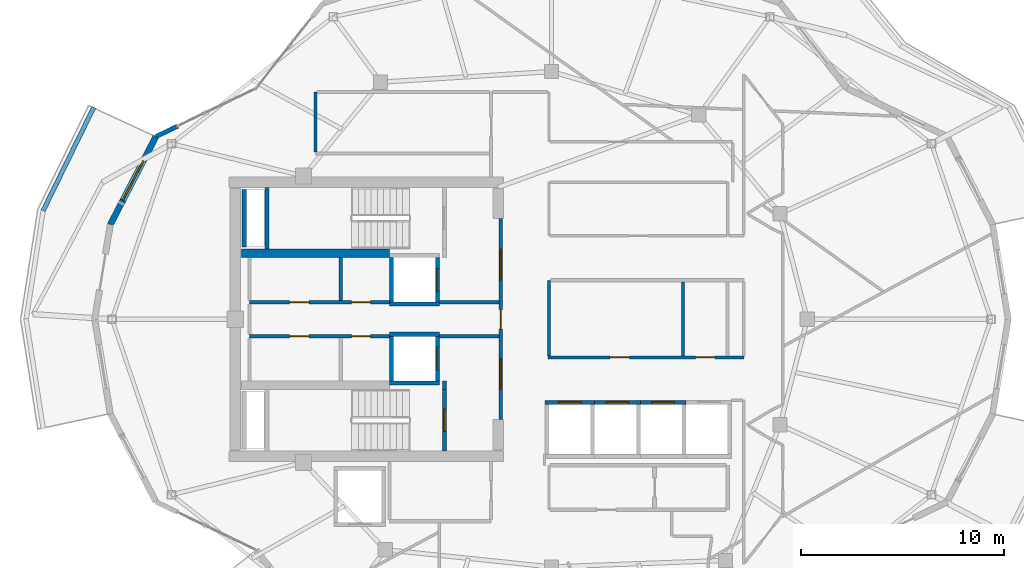
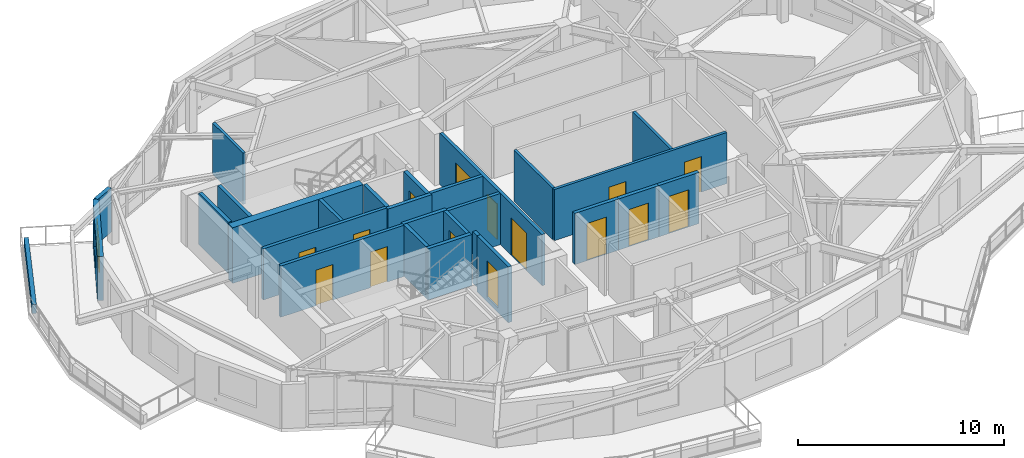
# One storey, part 8 of 14: 28 walls, 15 doors, 1 window, 16 openings.
"""IFC4 building model written with IfcOpenShell, lengths in metres."""

from ifc_helpers import new_model, si_unit, direction, frame, frame_2d, origin, place, context, subcontext, project, spatial, rectangle, extrude, material, layer, layer_set, type_object, element, fill, save


model = new_model("IFC4")

# Units and contexts
model_context = context("Model", 3, precision=1e-05, world=origin(), true_north=direction((0.0, 1.0)))
body_context = subcontext(model_context, "Body", "Model", "MODEL_VIEW")
ifc_project = project(units=[si_unit("LENGTHUNIT", "METRE"), si_unit("AREAUNIT", "SQUARE_METRE"), si_unit("VOLUMEUNIT", "CUBIC_METRE"), si_unit("PLANEANGLEUNIT", "RADIAN"), si_unit("MASSUNIT", "GRAM", prefix="KILO")], contexts=[model_context])

# Site, building, storey
site_placement = place(None, origin())
site = spatial("IfcSite", under=ifc_project, at=site_placement, CompositionType="ELEMENT")
building_placement = place(site_placement, origin())
building = spatial("IfcBuilding", under=site, at=building_placement, Name="Kolvaren Gate Tower and Convention Centre", CompositionType="ELEMENT")
storey_placement = place(building_placement, frame((0.0, 0.0, 252.5)))
storey = spatial("IfcBuildingStorey", under=building, at=storey_placement, Name="L68", CompositionType="ELEMENT", Elevation=252.5)

# Wall
ifc_material_1 = material(Name="Autoclaved Aerated Masonry Blockwork Class 4 (4.0 MPa)", Category="masonry")
ifc_layer_1 = layer(ifc_material_1, 0.179931640625)
ifc_layer_set_1 = layer_set([ifc_layer_1], Name="Autoclaved Aerated Masonry Blockwork Class 4 (4.0 MPa)")
wall_type_1 = type_object("IfcWallType", Name="ARCH-WL-COMP-180", PredefinedType="SOLIDWALL", material=ifc_layer_set_1)
wall_1_placement = place(storey_placement, frame((24.85009765625, 23.5400390625, 0.0), z_axis=(0.0, 0.0, 1.0), x_axis=(0.0, 1.0, 0.0)))
element("IfcWall", 1, at=wall_1_placement, inside=storey, type_object=wall_type_1, Name="Interior Partition WL-L68-INT-001", PredefinedType="SOLIDWALL", context=body_context, shape_type="SweptSolid", body=[
    extrude(rectangle(XDim=0.419921875, YDim=0.179931640625, at=frame_2d((0.2099609375, 0.0))), origin(), (0.0, 0.0, 1.0), 3.030029296875),
])

# Wall, openings, doors
wall_2_placement = place(storey_placement, frame((27.6201171875, 22.050048828125, 0.0), z_axis=(0.0, 0.0, 1.0), x_axis=(0.0, 1.0, 0.0)))
wall_2 = element("IfcWall", 2, at=wall_2_placement, inside=storey, type_object=wall_type_1, Name="Interior Partition WL-L68-INT-003", PredefinedType="SOLIDWALL", context=body_context, shape_type="SweptSolid", body=[
    extrude(rectangle(XDim=9.89990234375, YDim=0.179931640625, at=frame_2d((4.949951171875, 0.0))), origin(), (0.0, 0.0, 1.0), 3.030029296875),
])
opening_1_placement = place(wall_2_placement, frame((4.47509765625, 0.0, 0.0)))
opening_1 = element("IfcOpeningElement", 3, at=opening_1_placement, cuts=wall_2, Name="Opening DR-01", PredefinedType="OPENING", context=body_context, shape_type="SweptSolid", body=[
    extrude(rectangle(XDim=0.949951171875, YDim=2.10009765625, at=frame_2d((0.47509765625, 1.050048828125))), frame((0.0, 0.099853515625, 0.0), z_axis=(0.0, -1.0, 0.0), x_axis=(1.0, 0.0, 0.0)), (0.0, 0.0, 1.0), 0.199951171875),
])
opening_2_placement = place(wall_2_placement, frame((6.889892578125, 0.0, 0.0)))
opening_2 = element("IfcOpeningElement", 4, at=opening_2_placement, cuts=wall_2, Name="Opening DL-01", PredefinedType="OPENING", context=body_context, shape_type="SweptSolid", body=[
    extrude(rectangle(XDim=1.5, YDim=2.199951171875, at=frame_2d((0.75, 1.10009765625))), frame((0.0, 0.099853515625, 0.0), z_axis=(0.0, -1.0, 0.0), x_axis=(1.0, 0.0, 0.0)), (0.0, 0.0, 1.0), 0.199951171875),
])
opening_3_placement = place(wall_2_placement, frame((1.510009765625, 0.0, 0.0)))
opening_3 = element("IfcOpeningElement", 5, at=opening_3_placement, cuts=wall_2, Name="Opening DL-01", PredefinedType="OPENING", context=body_context, shape_type="SweptSolid", body=[
    extrude(rectangle(XDim=1.5, YDim=2.199951171875, at=frame_2d((0.75, 1.10009765625))), frame((0.0, 0.099853515625, 0.0), z_axis=(0.0, -1.0, 0.0), x_axis=(1.0, 0.0, 0.0)), (0.0, 0.0, 1.0), 0.199951171875),
])
ifc_material_2 = material(Name="Painted Architectural Steelwork ASTM A500 Grade C 345 MPa", Category="steel")
door_type_1 = type_object("IfcDoorType", Name="ARCH-DR-LOBBY-1500", OperationType="DOUBLE_DOOR_SINGLE_SWING", PredefinedType="DOOR", material=ifc_material_2)
door_1_placement = place(opening_2_placement, origin())
door_1 = element("IfcDoor", 6, at=door_1_placement, inside=storey, type_object=door_type_1, Name="North Firefighting Stair and Lift Lobby Door", OperationType="DOUBLE_DOOR_SINGLE_SWING", OverallHeight=2.199951171875, OverallWidth=1.5, PredefinedType="DOOR", context=body_context, shape_type="SweptSolid", body=[
    extrude(rectangle(XDim=1.5, YDim=2.199951171875, at=frame_2d((0.75, 1.10009765625))), frame((0.0, 0.02490234375, 0.0), z_axis=(0.0, -1.0, 0.0), x_axis=(1.0, 0.0, 0.0)), (0.0, 0.0, 1.0), 0.050048828125),
])
fill(opening_2, door_1)
door_2_placement = place(opening_3_placement, origin())
door_2 = element("IfcDoor", 7, at=door_2_placement, inside=storey, type_object=door_type_1, Name="South Firefighting Stair and Lift Lobby Door", OperationType="DOUBLE_DOOR_SINGLE_SWING", OverallHeight=2.199951171875, OverallWidth=1.5, PredefinedType="DOOR", context=body_context, shape_type="SweptSolid", body=[
    extrude(rectangle(XDim=1.5, YDim=2.199951171875, at=frame_2d((0.75, 1.10009765625))), frame((0.0, 0.02490234375, 0.0), z_axis=(0.0, -1.0, 0.0), x_axis=(1.0, 0.0, 0.0)), (0.0, 0.0, 1.0), 0.050048828125),
])
fill(opening_3, door_2)
door_type_2 = type_object("IfcDoorType", Name="ARCH-DR-RISER-950", OperationType="SINGLE_SWING_RIGHT", PredefinedType="DOOR", material=ifc_material_2)
door_3_placement = place(opening_1_placement, origin())
door_3 = element("IfcDoor", 8, at=door_3_placement, inside=storey, type_object=door_type_2, Name="Central MEP Service Corridor Door", OperationType="SINGLE_SWING_LEFT", OverallHeight=2.10009765625, OverallWidth=0.949951171875, PredefinedType="DOOR", context=body_context, shape_type="SweptSolid", body=[
    extrude(rectangle(XDim=0.949951171875, YDim=2.10009765625, at=frame_2d((0.47509765625, 1.050048828125))), frame((0.0, 0.02490234375, 0.0), z_axis=(0.0, -1.0, 0.0), x_axis=(1.0, 0.0, 0.0)), (0.0, 0.0, 1.0), 0.050048828125),
])
fill(opening_1, door_3)

wall_3_placement = place(storey_placement, frame((15.25, 27.840087890625, 0.0), z_axis=(0.0, 0.0, 1.0), x_axis=(1.0, 0.0, 0.0)))
wall_3 = element("IfcWall", 9, at=wall_3_placement, inside=storey, type_object=wall_type_1, Name="Interior Partition WL-L68-INT-004", PredefinedType="SOLIDWALL", context=body_context, shape_type="SweptSolid", body=[
    extrude(rectangle(XDim=6.89990234375, YDim=0.179931640625, at=frame_2d((3.449951171875, 0.0))), origin(), (0.0, 0.0, 1.0), 3.030029296875),
])
opening_4_placement = place(wall_3_placement, frame((5.02001953125, 0.0, 0.0)))
opening_4 = element("IfcOpeningElement", 10, at=opening_4_placement, cuts=wall_3, Name="Opening DR-01", PredefinedType="OPENING", context=body_context, shape_type="SweptSolid", body=[
    extrude(rectangle(XDim=0.949951171875, YDim=2.10009765625, at=frame_2d((0.47509765625, 1.050048828125))), frame((0.0, 0.099853515625, 0.0), z_axis=(0.0, -1.0, 0.0), x_axis=(1.0, 0.0, 0.0)), (0.0, 0.0, 1.0), 0.199951171875),
])
opening_5_placement = place(wall_3_placement, frame((1.97998046875, 0.0, 0.0)))
opening_5 = element("IfcOpeningElement", 11, at=opening_5_placement, cuts=wall_3, Name="Opening DR-01", PredefinedType="OPENING", context=body_context, shape_type="SweptSolid", body=[
    extrude(rectangle(XDim=0.949951171875, YDim=2.10009765625, at=frame_2d((0.47509765625, 1.050048828125))), frame((0.0, 0.099853515625, 0.0), z_axis=(0.0, -1.0, 0.0), x_axis=(1.0, 0.0, 0.0)), (0.0, 0.0, 1.0), 0.199951171875),
])
door_4_placement = place(opening_4_placement, origin())
door_4 = element("IfcDoor", 12, at=door_4_placement, inside=storey, type_object=door_type_2, Name="Electrical Switchgear Closet Door", OperationType="SINGLE_SWING_RIGHT", OverallHeight=2.10009765625, OverallWidth=0.949951171875, PredefinedType="DOOR", context=body_context, shape_type="SweptSolid", body=[
    extrude(rectangle(XDim=0.949951171875, YDim=2.10009765625, at=frame_2d((0.47509765625, 1.050048828125))), frame((0.0, 0.02490234375, 0.0), z_axis=(0.0, -1.0, 0.0), x_axis=(1.0, 0.0, 0.0)), (0.0, 0.0, 1.0), 0.050048828125),
])
fill(opening_4, door_4)
door_5_placement = place(opening_5_placement, origin())
door_5 = element("IfcDoor", 13, at=door_5_placement, inside=storey, type_object=door_type_2, Name="Staff Powder Washroom Door", OperationType="SINGLE_SWING_RIGHT", OverallHeight=2.10009765625, OverallWidth=0.949951171875, PredefinedType="DOOR", context=body_context, shape_type="SweptSolid", body=[
    extrude(rectangle(XDim=0.949951171875, YDim=2.10009765625, at=frame_2d((0.47509765625, 1.050048828125))), frame((0.0, 0.02490234375, 0.0), z_axis=(0.0, -1.0, 0.0), x_axis=(1.0, 0.0, 0.0)), (0.0, 0.0, 1.0), 0.050048828125),
])
fill(opening_5, door_5)

# Wall
wall_4_placement = place(storey_placement, frame((24.60009765625, 27.840087890625, 0.0), z_axis=(0.0, 0.0, 1.0), x_axis=(1.0, 0.0, 0.0)))
element("IfcWall", 14, at=wall_4_placement, inside=storey, type_object=wall_type_1, Name="Interior Partition WL-L68-INT-004 (2)", PredefinedType="SOLIDWALL", context=body_context, shape_type="SweptSolid", body=[
    extrude(rectangle(XDim=2.927978515625, YDim=0.179931640625, at=frame_2d((1.4638671875, 0.0))), origin(), (0.0, 0.0, 1.0), 3.030029296875),
])

# Wall, openings, doors
wall_5_placement = place(storey_placement, frame((15.25, 26.159912109375, 0.0), z_axis=(0.0, 0.0, 1.0), x_axis=(1.0, 0.0, 0.0)))
wall_5 = element("IfcWall", 15, at=wall_5_placement, inside=storey, type_object=wall_type_1, Name="Interior Partition WL-L68-INT-005", PredefinedType="SOLIDWALL", context=body_context, shape_type="SweptSolid", body=[
    extrude(rectangle(XDim=6.89990234375, YDim=0.179931640625, at=frame_2d((3.449951171875, 0.0))), origin(), (0.0, 0.0, 1.0), 3.030029296875),
])
opening_6_placement = place(wall_5_placement, frame((5.02001953125, 0.0, 0.0)))
opening_6 = element("IfcOpeningElement", 16, at=opening_6_placement, cuts=wall_5, Name="Opening DR-01", PredefinedType="OPENING", context=body_context, shape_type="SweptSolid", body=[
    extrude(rectangle(XDim=0.949951171875, YDim=2.10009765625, at=frame_2d((0.47509765625, 1.050048828125))), frame((0.0, 0.099853515625, 0.0), z_axis=(0.0, -1.0, 0.0), x_axis=(1.0, 0.0, 0.0)), (0.0, 0.0, 1.0), 0.199951171875),
])
opening_7_placement = place(wall_5_placement, frame((1.97998046875, 0.0, 0.0)))
opening_7 = element("IfcOpeningElement", 17, at=opening_7_placement, cuts=wall_5, Name="Opening DR-01", PredefinedType="OPENING", context=body_context, shape_type="SweptSolid", body=[
    extrude(rectangle(XDim=0.949951171875, YDim=2.10009765625, at=frame_2d((0.47509765625, 1.050048828125))), frame((0.0, 0.099853515625, 0.0), z_axis=(0.0, -1.0, 0.0), x_axis=(1.0, 0.0, 0.0)), (0.0, 0.0, 1.0), 0.199951171875),
])
door_6_placement = place(opening_6_placement, origin())
door_6 = element("IfcDoor", 18, at=door_6_placement, inside=storey, type_object=door_type_2, Name="Domestic Water Meter Closet Door", OperationType="SINGLE_SWING_LEFT", OverallHeight=2.10009765625, OverallWidth=0.949951171875, PredefinedType="DOOR", context=body_context, shape_type="SweptSolid", body=[
    extrude(rectangle(XDim=0.949951171875, YDim=2.10009765625, at=frame_2d((0.47509765625, 1.050048828125))), frame((0.0, 0.02490234375, 0.0), z_axis=(0.0, -1.0, 0.0), x_axis=(1.0, 0.0, 0.0)), (0.0, 0.0, 1.0), 0.050048828125),
])
fill(opening_6, door_6)
door_7_placement = place(opening_7_placement, origin())
door_7 = element("IfcDoor", 19, at=door_7_placement, inside=storey, type_object=door_type_2, Name="Janitor Equipment Store Door", OperationType="SINGLE_SWING_LEFT", OverallHeight=2.10009765625, OverallWidth=0.949951171875, PredefinedType="DOOR", context=body_context, shape_type="SweptSolid", body=[
    extrude(rectangle(XDim=0.949951171875, YDim=2.10009765625, at=frame_2d((0.47509765625, 1.050048828125))), frame((0.0, 0.02490234375, 0.0), z_axis=(0.0, -1.0, 0.0), x_axis=(1.0, 0.0, 0.0)), (0.0, 0.0, 1.0), 0.050048828125),
])
fill(opening_7, door_7)

# Walls
wall_6_placement = place(storey_placement, frame((24.60009765625, 26.159912109375, 0.0), z_axis=(0.0, 0.0, 1.0), x_axis=(1.0, 0.0, 0.0)))
element("IfcWall", 20, at=wall_6_placement, inside=storey, type_object=wall_type_1, Name="Interior Partition WL-L68-INT-005 (2)", PredefinedType="SOLIDWALL", context=body_context, shape_type="SweptSolid", body=[
    extrude(rectangle(XDim=2.927978515625, YDim=0.179931640625, at=frame_2d((1.4638671875, 0.0))), origin(), (0.0, 0.0, 1.0), 3.030029296875),
])
wall_7_placement = place(storey_placement, frame((19.75, 27.931884765625, 0.0), z_axis=(0.0, 0.0, 1.0), x_axis=(0.0, 1.0, 0.0)))
element("IfcWall", 21, at=wall_7_placement, inside=storey, type_object=wall_type_1, Name="Interior Partition WL-L68-INT-008", PredefinedType="SOLIDWALL", context=body_context, shape_type="SweptSolid", body=[
    extrude(rectangle(XDim=2.106201171875, YDim=0.179931640625, at=frame_2d((1.05322265625, 0.0))), origin(), (0.0, 0.0, 1.0), 3.030029296875),
])
ifc_material_3 = material(Name="Bogota Sabana Bush-Hammered Sandstone Cladding", Category="masonry")
ifc_layer_2 = layer(ifc_material_3, 0.219970703125)
ifc_layer_set_2 = layer_set([ifc_layer_2], Name="Bogota Sabana Bush-Hammered Sandstone Cladding")
wall_type_2 = type_object("IfcWallType", Name="ARCH-WL-PIER-220", PredefinedType="SOLIDWALL", material=ifc_layer_set_2)
wall_8_placement = place(storey_placement, frame((10.639404296875, 36.0, 0.0), z_axis=(0.0, 0.0, 1.0), x_axis=(0.901345553578, 0.433100673107, 0.0)))
element("IfcWall", 22, at=wall_8_placement, inside=storey, type_object=wall_type_2, Name="Tower L68 Unitised Curtain Wall CW-RES-UNIT Bay 09 Left Column Pier Wrap", PredefinedType="SOLIDWALL", context=body_context, shape_type="SweptSolid", body=[
    extrude(rectangle(XDim=1.180908203125, YDim=0.219970703125, at=frame_2d((0.59033203125, 0.0))), origin(), (0.0, 0.0, 1.0), 2.60498046875),
])
ifc_material_4 = material(Name="Piedmont Cream Honed Limestone Cladding", Category="masonry")
ifc_layer_3 = layer(ifc_material_4, 0.219970703125)
ifc_layer_set_3 = layer_set([ifc_layer_3], Name="Piedmont Cream Honed Limestone Cladding")
wall_type_3 = type_object("IfcWallType", Name="ARCH-WL-PLANTER-220", PredefinedType="PARAPET", material=ifc_layer_set_3)
wall_9_placement = place(storey_placement, frame((5.078857421875, 32.337646484375, 0.0), z_axis=(0.0, 0.0, 1.0), x_axis=(0.440058847499, 0.897968936399, 0.0)))
element("IfcWall", 23, at=wall_9_placement, inside=storey, type_object=wall_type_3, Name="Vertical-Forest Balcony Stone Planter Kerb PK-L68-2.1", PredefinedType="PARAPET", context=body_context, shape_type="SweptSolid", body=[
    extrude(rectangle(XDim=5.689453125, YDim=0.219970703125, at=frame_2d((2.8447265625, 0.0))), origin(), (0.0, 0.0, 1.0), 0.52001953125),
])
ifc_layer_4 = layer(ifc_material_1, 0.199951171875)
ifc_layer_set_4 = layer_set([ifc_layer_4], Name="Autoclaved Aerated Masonry Blockwork Class 4 (4.0 MPa)")
wall_type_4 = type_object("IfcWallType", Name="ARCH-WL-SHAFT-200", PredefinedType="SOLIDWALL", material=ifc_layer_set_4)
wall_10_placement = place(storey_placement, frame((22.14990234375, 27.739990234375, 0.0), z_axis=(0.0, 0.0, 1.0), x_axis=(1.0, 0.0, 0.0)))
element("IfcWall", 24, at=wall_10_placement, inside=storey, type_object=wall_type_4, Name="Elevator FF-01 L68 Fire Shaft Wall S", PredefinedType="SOLIDWALL", context=body_context, shape_type="SweptSolid", body=[
    extrude(rectangle(XDim=2.4501953125, YDim=0.199951171875, at=frame_2d((1.22509765625, 0.0))), origin(), (0.0, 0.0, 1.0), 3.030029296875),
])
wall_11_placement = place(storey_placement, frame((22.25, 27.85009765625, 0.0), z_axis=(0.0, 0.0, 1.0), x_axis=(0.0, 1.0, 0.0)))
element("IfcWall", 25, at=wall_11_placement, inside=storey, type_object=wall_type_4, Name="Elevator FF-01 L68 Fire Shaft Wall W", PredefinedType="SOLIDWALL", context=body_context, shape_type="SweptSolid", body=[
    extrude(rectangle(XDim=2.179931640625, YDim=0.199951171875, at=frame_2d((1.08984375, 0.0))), origin(), (0.0, 0.0, 1.0), 3.030029296875),
])

# Wall, opening, door
wall_12_placement = place(storey_placement, frame((24.5, 27.85009765625, 0.0), z_axis=(0.0, 0.0, 1.0), x_axis=(0.0, 1.0, 0.0)))
wall_12 = element("IfcWall", 26, at=wall_12_placement, inside=storey, type_object=wall_type_4, Name="Elevator FF-01 L68 Fire Shaft Wall E", PredefinedType="SOLIDWALL", context=body_context, shape_type="SweptSolid", body=[
    extrude(rectangle(XDim=2.179931640625, YDim=0.199951171875, at=frame_2d((1.08984375, 0.0))), origin(), (0.0, 0.0, 1.0), 3.030029296875),
])
opening_8_placement = place(wall_12_placement, frame((0.5400390625, 0.0, 0.0)))
opening_8 = element("IfcOpeningElement", 27, at=opening_8_placement, cuts=wall_12, Name="Opening LD", PredefinedType="OPENING", context=body_context, shape_type="SweptSolid", body=[
    extrude(rectangle(XDim=1.10009765625, YDim=2.199951171875, at=frame_2d((0.550048828125, 1.10009765625))), frame((0.0, 0.10986328125, 0.0), z_axis=(0.0, -1.0, 0.0), x_axis=(1.0, 0.0, 0.0)), (0.0, 0.0, 1.0), 0.219970703125),
])
ifc_material_5 = material(Name="Brushed Stainless Steel Grade 316L", Category="steel")
door_type_3 = type_object("IfcDoorType", Name="ARCH-DR-LIFT-1100", OperationType="SLIDING_TO_LEFT", PredefinedType="DOOR", material=ifc_material_5)
door_8_placement = place(opening_8_placement, origin())
door_8 = element("IfcDoor", 28, at=door_8_placement, inside=storey, type_object=door_type_3, Name="Elevator FF-01 L68 Sliding Landing Door", OperationType="SLIDING_TO_LEFT", OverallHeight=2.199951171875, OverallWidth=1.10009765625, PredefinedType="DOOR", context=body_context, shape_type="SweptSolid", body=[
    extrude(rectangle(XDim=1.10009765625, YDim=2.199951171875, at=frame_2d((0.550048828125, 1.10009765625))), frame((0.0, 0.02490234375, 0.0), z_axis=(0.0, -1.0, 0.0), x_axis=(1.0, 0.0, 0.0)), (0.0, 0.0, 1.0), 0.050048828125),
])
fill(opening_8, door_8)

# Walls
for number, where, z_axis, x_axis, name in (
    (29, (22.14990234375, 26.260009765625, 0.0), (0.0, 0.0, 1.0), (1.0, 0.0, 0.0), "Elevator FF-02 L68 Fire Shaft Wall N"),
    (30, (22.14990234375, 23.860107421875, 0.0), (0.0, 0.0, 1.0), (1.0, 0.0, 0.0), "Elevator FF-02 L68 Fire Shaft Wall S"),
):
    element("IfcWall", number, at=place(storey_placement, frame(where, z_axis=z_axis, x_axis=x_axis)), inside=storey, type_object=wall_type_4, Name=name, PredefinedType="SOLIDWALL", context=body_context, shape_type="SweptSolid", body=[
        extrude(rectangle(XDim=2.4501953125, YDim=0.199951171875, at=frame_2d((1.22509765625, 0.0))), origin(), (0.0, 0.0, 1.0), 3.030029296875),
    ])
wall_13_placement = place(storey_placement, frame((22.25, 23.969970703125, 0.0), z_axis=(0.0, 0.0, 1.0), x_axis=(0.0, 1.0, 0.0)))
element("IfcWall", 31, at=wall_13_placement, inside=storey, type_object=wall_type_4, Name="Elevator FF-02 L68 Fire Shaft Wall W", PredefinedType="SOLIDWALL", context=body_context, shape_type="SweptSolid", body=[
    extrude(rectangle(XDim=2.179931640625, YDim=0.199951171875, at=frame_2d((1.08984375, 0.0))), origin(), (0.0, 0.0, 1.0), 3.030029296875),
])

# Wall, opening, door
wall_14_placement = place(storey_placement, frame((24.5, 23.969970703125, 0.0), z_axis=(0.0, 0.0, 1.0), x_axis=(0.0, 1.0, 0.0)))
wall_14 = element("IfcWall", 32, at=wall_14_placement, inside=storey, type_object=wall_type_4, Name="Elevator FF-02 L68 Fire Shaft Wall E", PredefinedType="SOLIDWALL", context=body_context, shape_type="SweptSolid", body=[
    extrude(rectangle(XDim=2.179931640625, YDim=0.199951171875, at=frame_2d((1.08984375, 0.0))), origin(), (0.0, 0.0, 1.0), 3.030029296875),
])
opening_9_placement = place(wall_14_placement, frame((0.5400390625, 0.0, 0.0)))
opening_9 = element("IfcOpeningElement", 33, at=opening_9_placement, cuts=wall_14, Name="Opening LD", PredefinedType="OPENING", context=body_context, shape_type="SweptSolid", body=[
    extrude(rectangle(XDim=1.10009765625, YDim=2.199951171875, at=frame_2d((0.550048828125, 1.10009765625))), frame((0.0, 0.10986328125, 0.0), z_axis=(0.0, -1.0, 0.0), x_axis=(1.0, 0.0, 0.0)), (0.0, 0.0, 1.0), 0.219970703125),
])
door_9_placement = place(opening_9_placement, origin())
door_9 = element("IfcDoor", 34, at=door_9_placement, inside=storey, type_object=door_type_3, Name="Elevator FF-02 L68 Sliding Landing Door", OperationType="SLIDING_TO_LEFT", OverallHeight=2.199951171875, OverallWidth=1.10009765625, PredefinedType="DOOR", context=body_context, shape_type="SweptSolid", body=[
    extrude(rectangle(XDim=1.10009765625, YDim=2.199951171875, at=frame_2d((0.550048828125, 1.10009765625))), frame((0.0, 0.02490234375, 0.0), z_axis=(0.0, -1.0, 0.0), x_axis=(1.0, 0.0, 0.0)), (0.0, 0.0, 1.0), 0.050048828125),
])
fill(opening_9, door_9)

wall_15_placement = place(storey_placement, frame((29.800048828125, 22.89990234375, 0.0), z_axis=(0.0, 0.0, 1.0), x_axis=(1.0, 0.0, 0.0)))
wall_15 = element("IfcWall", 35, at=wall_15_placement, inside=storey, type_object=wall_type_4, Name="Elevator PL-09 L68 Fire Shaft Wall N", PredefinedType="SOLIDWALL", context=body_context, shape_type="SweptSolid", body=[
    extrude(rectangle(XDim=2.449951171875, YDim=0.199951171875, at=frame_2d((1.22509765625, 0.0))), origin(), (0.0, 0.0, 1.0), 3.030029296875),
])
opening_10_placement = place(wall_15_placement, frame((0.675048828125, 0.0, 0.0)))
opening_10 = element("IfcOpeningElement", 36, at=opening_10_placement, cuts=wall_15, Name="Opening LD", PredefinedType="OPENING", context=body_context, shape_type="SweptSolid", body=[
    extrude(rectangle(XDim=1.10009765625, YDim=2.199951171875, at=frame_2d((0.550048828125, 1.10009765625))), frame((0.0, 0.10986328125, 0.0), z_axis=(0.0, -1.0, 0.0), x_axis=(1.0, 0.0, 0.0)), (0.0, 0.0, 1.0), 0.219970703125),
])
door_10_placement = place(opening_10_placement, origin())
door_10 = element("IfcDoor", 37, at=door_10_placement, inside=storey, type_object=door_type_3, Name="Elevator PL-09 L68 Sliding Landing Door", OperationType="SLIDING_TO_LEFT", OverallHeight=2.199951171875, OverallWidth=1.10009765625, PredefinedType="DOOR", context=body_context, shape_type="SweptSolid", body=[
    extrude(rectangle(XDim=1.10009765625, YDim=2.199951171875, at=frame_2d((0.550048828125, 1.10009765625))), frame((0.0, 0.02490234375, 0.0), z_axis=(0.0, -1.0, 0.0), x_axis=(1.0, 0.0, 0.0)), (0.0, 0.0, 1.0), 0.050048828125),
])
fill(opening_10, door_10)

wall_16_placement = place(storey_placement, frame((32.25, 22.89990234375, 0.0), z_axis=(0.0, 0.0, 1.0), x_axis=(1.0, 0.0, 0.0)))
wall_16 = element("IfcWall", 38, at=wall_16_placement, inside=storey, type_object=wall_type_4, Name="Elevator PL-10 L68 Fire Shaft Wall N", PredefinedType="SOLIDWALL", context=body_context, shape_type="SweptSolid", body=[
    extrude(rectangle(XDim=2.25, YDim=0.199951171875, at=frame_2d((1.125, 0.0))), origin(), (0.0, 0.0, 1.0), 3.030029296875),
])
opening_11_placement = place(wall_16_placement, frame((0.574951171875, 0.0, 0.0)))
opening_11 = element("IfcOpeningElement", 39, at=opening_11_placement, cuts=wall_16, Name="Opening LD", PredefinedType="OPENING", context=body_context, shape_type="SweptSolid", body=[
    extrude(rectangle(XDim=1.10009765625, YDim=2.199951171875, at=frame_2d((0.550048828125, 1.10009765625))), frame((0.0, 0.10986328125, 0.0), z_axis=(0.0, -1.0, 0.0), x_axis=(1.0, 0.0, 0.0)), (0.0, 0.0, 1.0), 0.219970703125),
])
door_11_placement = place(opening_11_placement, origin())
door_11 = element("IfcDoor", 40, at=door_11_placement, inside=storey, type_object=door_type_3, Name="Elevator PL-10 L68 Sliding Landing Door", OperationType="SLIDING_TO_LEFT", OverallHeight=2.199951171875, OverallWidth=1.10009765625, PredefinedType="DOOR", context=body_context, shape_type="SweptSolid", body=[
    extrude(rectangle(XDim=1.10009765625, YDim=2.199951171875, at=frame_2d((0.550048828125, 1.10009765625))), frame((0.0, 0.02490234375, 0.0), z_axis=(0.0, -1.0, 0.0), x_axis=(1.0, 0.0, 0.0)), (0.0, 0.0, 1.0), 0.050048828125),
])
fill(opening_11, door_11)

wall_17_placement = place(storey_placement, frame((34.5, 22.89990234375, 0.0), z_axis=(0.0, 0.0, 1.0), x_axis=(1.0, 0.0, 0.0)))
wall_17 = element("IfcWall", 41, at=wall_17_placement, inside=storey, type_object=wall_type_4, Name="Elevator PL-11 L68 Fire Shaft Wall N", PredefinedType="SOLIDWALL", context=body_context, shape_type="SweptSolid", body=[
    extrude(rectangle(XDim=2.25, YDim=0.199951171875, at=frame_2d((1.125, 0.0))), origin(), (0.0, 0.0, 1.0), 3.030029296875),
])
opening_12_placement = place(wall_17_placement, frame((0.574951171875, 0.0, 0.0)))
opening_12 = element("IfcOpeningElement", 42, at=opening_12_placement, cuts=wall_17, Name="Opening LD", PredefinedType="OPENING", context=body_context, shape_type="SweptSolid", body=[
    extrude(rectangle(XDim=1.10009765625, YDim=2.199951171875, at=frame_2d((0.550048828125, 1.10009765625))), frame((0.0, 0.10986328125, 0.0), z_axis=(0.0, -1.0, 0.0), x_axis=(1.0, 0.0, 0.0)), (0.0, 0.0, 1.0), 0.219970703125),
])
door_12_placement = place(opening_12_placement, origin())
door_12 = element("IfcDoor", 43, at=door_12_placement, inside=storey, type_object=door_type_3, Name="Elevator PL-11 L68 Sliding Landing Door", OperationType="SLIDING_TO_LEFT", OverallHeight=2.199951171875, OverallWidth=1.10009765625, PredefinedType="DOOR", context=body_context, shape_type="SweptSolid", body=[
    extrude(rectangle(XDim=1.10009765625, YDim=2.199951171875, at=frame_2d((0.550048828125, 1.10009765625))), frame((0.0, 0.02490234375, 0.0), z_axis=(0.0, -1.0, 0.0), x_axis=(1.0, 0.0, 0.0)), (0.0, 0.0, 1.0), 0.050048828125),
])
fill(opening_12, door_12)

# Wall
wall_18_placement = place(storey_placement, frame((14.989990234375, 30.550048828125, 0.0), z_axis=(0.0, 0.0, 1.0), x_axis=(0.0, 1.0, 0.0)))
element("IfcWall", 44, at=wall_18_placement, inside=storey, type_object=wall_type_4, Name="Vertical Shaft HVR L68 EI-120 Enclosure Wall W", PredefinedType="SOLIDWALL", context=body_context, shape_type="SweptSolid", body=[
    extrude(rectangle(XDim=2.849853515625, YDim=0.199951171875, at=frame_2d((1.4248046875, 0.0))), origin(), (0.0, 0.0, 1.0), 3.030029296875),
])

# Wall, opening, window
ifc_layer_5 = layer(ifc_material_4, 0.300048828125)
ifc_layer_set_5 = layer_set([ifc_layer_5], Name="Piedmont Cream Honed Limestone Cladding")
wall_type_5 = type_object("IfcWallType", Name="ARCH-WL-STONE-300", PredefinedType="SOLIDWALL", material=ifc_layer_set_5)
wall_19_placement = place(storey_placement, frame((8.3916015625, 31.65869140625, 0.0), z_axis=(0.0, 0.0, 1.0), x_axis=(0.459793771602, 0.888025724625, 0.0)))
wall_19 = element("IfcWall", 45, at=wall_19_placement, inside=storey, type_object=wall_type_5, Name="Tower L68 Honed Stone Spandrel Wall EW-10", PredefinedType="SOLIDWALL", context=body_context, shape_type="SweptSolid", body=[
    extrude(rectangle(XDim=4.888671875, YDim=0.300048828125, at=frame_2d((2.4443359375, 0.0))), origin(), (0.0, 0.0, 1.0), 2.60498046875),
])
opening_13_placement = place(wall_19_placement, frame((1.343994140625, 0.0, 0.719970703125)))
opening_13 = element("IfcOpeningElement", 46, at=opening_13_placement, cuts=wall_19, Name="Opening W-03", PredefinedType="OPENING", context=body_context, shape_type="SweptSolid", body=[
    extrude(rectangle(XDim=2.199951171875, YDim=1.64990234375, at=frame_2d((1.10009765625, 0.824951171875))), frame((0.0, 0.159912109375, 0.0), z_axis=(0.0, -1.0, 0.0), x_axis=(1.0, 0.0, 0.0)), (0.0, 0.0, 1.0), 0.320068359375),
])
ifc_material_6 = material(Name="Low-E Triple Insulated Glazing Unit 44 mm", Category="glass")
window_type = type_object("IfcWindowType", Name="ARCH-WN-RES-2200", PartitioningType="SINGLE_PANEL", PredefinedType="WINDOW", material=ifc_material_6)
window_placement = place(opening_13_placement, origin())
window = element("IfcWindow", 47, at=window_placement, inside=storey, type_object=window_type, Name="Tower L68 Punched Stone Facade Window W-10", OverallHeight=1.64990234375, OverallWidth=2.199951171875, PartitioningType="SINGLE_PANEL", PredefinedType="WINDOW", context=body_context, shape_type="SweptSolid", body=[
    extrude(rectangle(XDim=2.199951171875, YDim=1.64990234375, at=frame_2d((1.10009765625, 0.824951171875))), frame((0.0, 0.030029296875, 0.0), z_axis=(0.0, -1.0, 0.0), x_axis=(1.0, 0.0, 0.0)), (0.0, 0.0, 1.0), 0.06005859375),
])
fill(opening_13, window)

# Wall, openings, doors
ifc_material_7 = material(Name="Moisture-Resistant Cement-Board Acoustic Partition", Category="gypsum")
ifc_layer_6 = layer(ifc_material_7, 0.14990234375)
ifc_layer_set_6 = layer_set([ifc_layer_6], Name="Moisture-Resistant Cement-Board Acoustic Partition")
wall_type_6 = type_object("IfcWallType", Name="ARCH-WL-WET-150", PredefinedType="PARTITIONING", material=ifc_layer_set_6)
wall_20_placement = place(storey_placement, frame((29.9599609375, 25.1201171875, 0.0), z_axis=(0.0, 0.0, 1.0), x_axis=(1.0, 0.0, 0.0)))
wall_20 = element("IfcWall", 48, at=wall_20_placement, inside=storey, type_object=wall_type_6, Name="Interior Partition WL-L68-INT-014", PredefinedType="PARTITIONING", context=body_context, shape_type="SweptSolid", body=[
    extrude(rectangle(XDim=9.64013671875, YDim=0.14990234375, at=frame_2d((4.820068359375, 0.0))), origin(), (0.0, 0.0, 1.0), 3.030029296875),
])
opening_14_placement = place(wall_20_placement, frame((3.050048828125, 0.0, 0.0)))
opening_14 = element("IfcOpeningElement", 49, at=opening_14_placement, cuts=wall_20, Name="Opening DR-01", PredefinedType="OPENING", context=body_context, shape_type="SweptSolid", body=[
    extrude(rectangle(XDim=0.949951171875, YDim=2.10009765625, at=frame_2d((0.47509765625, 1.050048828125))), frame((0.0, 0.0849609375, 0.0), z_axis=(0.0, -1.0, 0.0), x_axis=(1.0, 0.0, 0.0)), (0.0, 0.0, 1.0), 0.169921875),
])
opening_15_placement = place(wall_20_placement, frame((7.264892578125, 0.0, 0.0)))
opening_15 = element("IfcOpeningElement", 50, at=opening_15_placement, cuts=wall_20, Name="Opening DR-01", PredefinedType="OPENING", context=body_context, shape_type="SweptSolid", body=[
    extrude(rectangle(XDim=0.949951171875, YDim=2.10009765625, at=frame_2d((0.47509765625, 1.050048828125))), frame((0.0, 0.0849609375, 0.0), z_axis=(0.0, -1.0, 0.0), x_axis=(1.0, 0.0, 0.0)), (0.0, 0.0, 1.0), 0.169921875),
])
door_13_placement = place(opening_14_placement, origin())
door_13 = element("IfcDoor", 51, at=door_13_placement, inside=storey, type_object=door_type_2, Name="Accessible Universal Washroom Door", OperationType="SINGLE_SWING_LEFT", OverallHeight=2.10009765625, OverallWidth=0.949951171875, PredefinedType="DOOR", context=body_context, shape_type="SweptSolid", body=[
    extrude(rectangle(XDim=0.949951171875, YDim=2.10009765625, at=frame_2d((0.47509765625, 1.050048828125))), frame((0.0, 0.02490234375, 0.0), z_axis=(0.0, -1.0, 0.0), x_axis=(1.0, 0.0, 0.0)), (0.0, 0.0, 1.0), 0.050048828125),
])
fill(opening_14, door_13)
door_14_placement = place(opening_15_placement, origin())
door_14 = element("IfcDoor", 52, at=door_14_placement, inside=storey, type_object=door_type_2, Name="Floor Janitor and Supply Store Door", OperationType="SINGLE_SWING_RIGHT", OverallHeight=2.10009765625, OverallWidth=0.949951171875, PredefinedType="DOOR", context=body_context, shape_type="SweptSolid", body=[
    extrude(rectangle(XDim=0.949951171875, YDim=2.10009765625, at=frame_2d((0.47509765625, 1.050048828125))), frame((0.0, 0.02490234375, 0.0), z_axis=(0.0, -1.0, 0.0), x_axis=(1.0, 0.0, 0.0)), (0.0, 0.0, 1.0), 0.050048828125),
])
fill(opening_15, door_14)

# Walls
wall_21_placement = place(storey_placement, frame((30.0, 25.197021484375, 0.0), z_axis=(0.0, 0.0, 1.0), x_axis=(0.0, 1.0, 0.0)))
element("IfcWall", 53, at=wall_21_placement, inside=storey, type_object=wall_type_6, Name="Interior Partition WL-L68-INT-016", PredefinedType="PARTITIONING", context=body_context, shape_type="SweptSolid", body=[
    extrude(rectangle(XDim=3.722900390625, YDim=0.14990234375, at=frame_2d((1.861328125, 0.0))), origin(), (0.0, 0.0, 1.0), 3.030029296875),
])
wall_22_placement = place(storey_placement, frame((36.60009765625, 25.197021484375, 0.0), z_axis=(0.0, 0.0, 1.0), x_axis=(0.0, 1.0, 0.0)))
element("IfcWall", 54, at=wall_22_placement, inside=storey, type_object=wall_type_6, Name="Interior Partition WL-L68-INT-020", PredefinedType="PARTITIONING", context=body_context, shape_type="SweptSolid", body=[
    extrude(rectangle(XDim=3.64599609375, YDim=0.14990234375, at=frame_2d((1.822998046875, 0.0))), origin(), (0.0, 0.0, 1.0), 3.030029296875),
])
wall_23_placement = place(storey_placement, frame((18.5, 35.237060546875, 0.0), z_axis=(0.0, 0.0, 1.0), x_axis=(0.0, 1.0, 0.0)))
element("IfcWall", 55, at=wall_23_placement, inside=storey, type_object=wall_type_6, Name="Interior Partition WL-L68-INT-030", PredefinedType="PARTITIONING", context=body_context, shape_type="SweptSolid", body=[
    extrude(rectangle(XDim=2.962890625, YDim=0.14990234375, at=frame_2d((1.4814453125, 0.0))), origin(), (0.0, 0.0, 1.0), 3.030029296875),
])
ifc_material_8 = material(Name="Concrete C50/60", Category="concrete")
ifc_layer_7 = layer(ifc_material_8, 0.419921875)
ifc_layer_set_7 = layer_set([ifc_layer_7], Name="Concrete C50/60")
wall_type_7 = type_object("IfcWallType", Name="STR-WL-CONV-420", PredefinedType="SHEAR", material=ifc_layer_set_7)
wall_24_placement = place(storey_placement, frame((14.85009765625, 30.25, -0.27001953125), z_axis=(0.0, 0.0, 1.0), x_axis=(1.0, 0.0, 0.0)))
element("IfcWall", 56, at=wall_24_placement, inside=storey, type_object=wall_type_7, Name="Tower L68 Offset Core Shear Wall WN", PredefinedType="SHEAR", context=body_context, shape_type="SweptSolid", body=[
    extrude(rectangle(XDim=7.2998046875, YDim=0.419921875, at=frame_2d((3.64990234375, 0.0))), origin(), (0.0, 0.0, 1.0), 3.300048828125),
])
ifc_layer_8 = layer(ifc_material_8, 0.199951171875)
ifc_layer_set_8 = layer_set([ifc_layer_8], Name="Concrete C50/60")
wall_type_8 = type_object("IfcWallType", Name="STR-WL-SHAFT-200", PredefinedType="SHEAR", material=ifc_layer_set_8)
wall_25_placement = place(storey_placement, frame((16.10009765625, 30.4619140625, -0.27001953125), z_axis=(0.0, 0.0, 1.0), x_axis=(0.0, 1.0, 0.0)))
element("IfcWall", 57, at=wall_25_placement, inside=storey, type_object=wall_type_8, Name="Tower North Exit Stair ST-T1 L68 Structural Shear Enclosure Wall FAR", PredefinedType="SHEAR", context=body_context, shape_type="SweptSolid", body=[
    extrude(rectangle(XDim=3.0361328125, YDim=0.199951171875, at=frame_2d((1.51806640625, 0.0))), origin(), (0.0, 0.0, 1.0), 3.300048828125),
])

# Wall, opening, door
wall_26_placement = place(storey_placement, frame((24.85009765625, 20.501953125, -0.27001953125), z_axis=(0.0, 0.0, 1.0), x_axis=(0.0, 1.0, 0.0)))
wall_26 = element("IfcWall", 58, at=wall_26_placement, inside=storey, type_object=wall_type_8, Name="Tower South Exit Stair ST-T2 L68 Structural Shear Enclosure Wall NEAR", PredefinedType="SHEAR", context=body_context, shape_type="SweptSolid", body=[
    extrude(rectangle(XDim=3.0380859375, YDim=0.199951171875, at=frame_2d((1.51904296875, 0.0))), origin(), (0.0, 0.0, 1.0), 3.300048828125),
])
opening_16_placement = place(wall_26_placement, frame((0.968994140625, 0.0, 0.27001953125)))
opening_16 = element("IfcOpeningElement", 59, at=opening_16_placement, cuts=wall_26, Name="Opening DS-01", PredefinedType="OPENING", context=body_context, shape_type="SweptSolid", body=[
    extrude(rectangle(XDim=1.10009765625, YDim=2.14990234375, at=frame_2d((0.550048828125, 1.074951171875))), frame((0.0, 0.10986328125, 0.0), z_axis=(0.0, -1.0, 0.0), x_axis=(1.0, 0.0, 0.0)), (0.0, 0.0, 1.0), 0.219970703125),
])
door_type_4 = type_object("IfcDoorType", Name="ARCH-DR-STAIR-1100", OperationType="SINGLE_SWING_LEFT", PredefinedType="DOOR", material=ifc_material_2)
door_15_placement = place(opening_16_placement, origin())
door_15 = element("IfcDoor", 60, at=door_15_placement, inside=storey, type_object=door_type_4, Name="Tower South Exit Stair ST-T2 L68 Fire Exit Stair Door", OperationType="SINGLE_SWING_RIGHT", OverallHeight=2.14990234375, OverallWidth=1.10009765625, PredefinedType="DOOR", context=body_context, shape_type="SweptSolid", body=[
    extrude(rectangle(XDim=1.10009765625, YDim=2.14990234375, at=frame_2d((0.550048828125, 1.074951171875))), frame((0.0, 0.02490234375, 0.0), z_axis=(0.0, -1.0, 0.0), x_axis=(1.0, 0.0, 0.0)), (0.0, 0.0, 1.0), 0.050048828125),
])
fill(opening_16, door_15)

save(model, "model.ifc")
